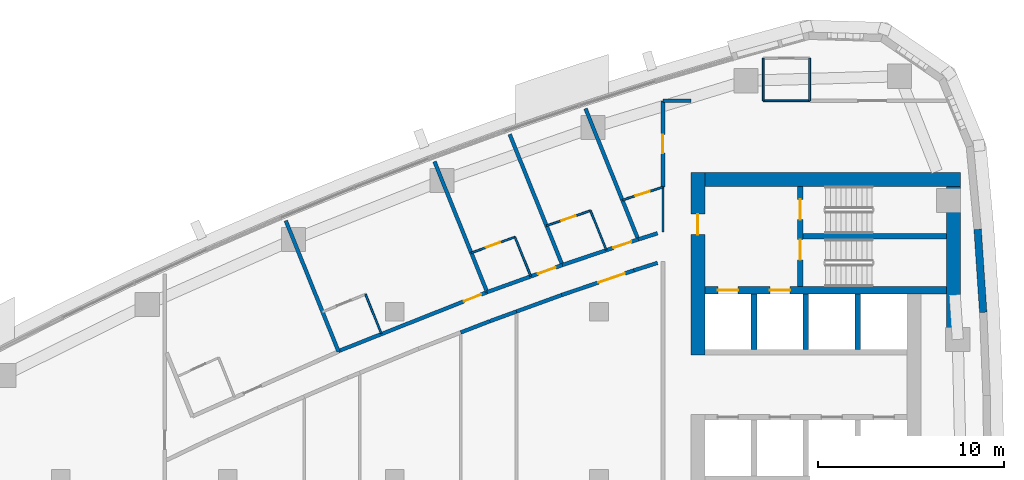
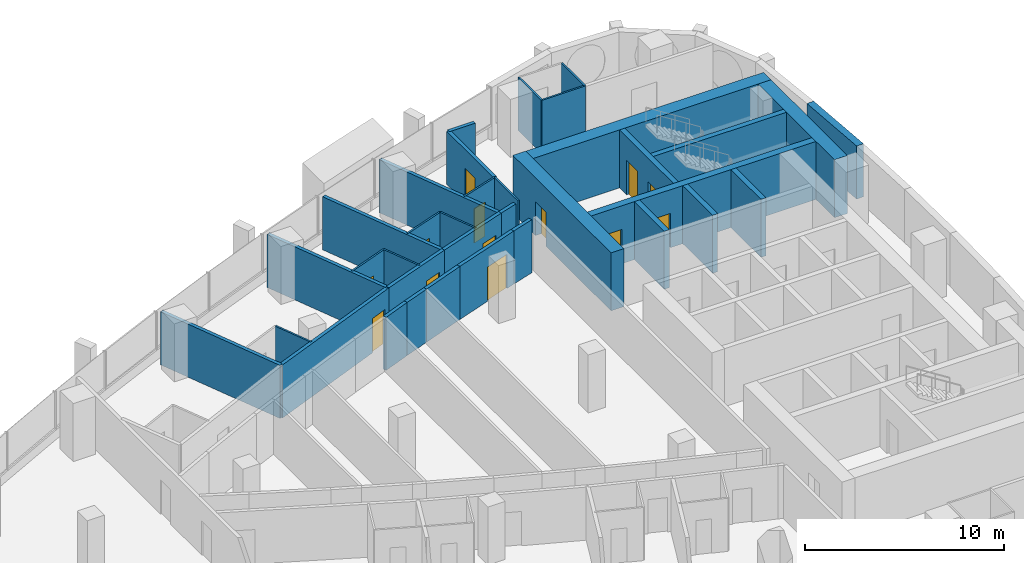
# One storey, part 12 of 17: 35 walls, 13 doors, 13 openings.
"""IFC4 building model written with IfcOpenShell, lengths in metres."""

from ifc_helpers import new_model, si_unit, direction, frame, frame_2d, origin, place, context, subcontext, project, spatial, polyline, rectangle, outline, extrude, material, layer, layer_set, type_object, element, fill, save


model = new_model("IFC4")

# Units and contexts
model_context = context("Model", 3, precision=1e-05, world=origin(), true_north=direction((0.0, 1.0)))
body_context = subcontext(model_context, "Body", "Model", "MODEL_VIEW")
ifc_project = project(units=[si_unit("LENGTHUNIT", "METRE"), si_unit("AREAUNIT", "SQUARE_METRE"), si_unit("VOLUMEUNIT", "CUBIC_METRE"), si_unit("PLANEANGLEUNIT", "RADIAN"), si_unit("MASSUNIT", "GRAM", prefix="KILO")], contexts=[model_context])

# Site, building, storey
site_placement = place(None, origin())
site = spatial("IfcSite", under=ifc_project, at=site_placement, CompositionType="ELEMENT")
building_placement = place(site_placement, origin())
building = spatial("IfcBuilding", under=site, at=building_placement, Name="Ostrand Prow Hotel Tower", CompositionType="ELEMENT")
storey_placement = place(building_placement, frame((0.0, 0.0, 175.5)))
storey = spatial("IfcBuildingStorey", under=building, at=storey_placement, Name="L43", CompositionType="ELEMENT", Elevation=175.5)

# Walls
ifc_material_1 = material(Name="Concrete C60/75", Category="concrete")
ifc_layer_1 = layer(ifc_material_1, 0.300048828125)
ifc_layer_set_1 = layer_set([ifc_layer_1], Name="Concrete C60/75")
wall_type_1 = type_object("IfcWallType", Name="Core wall 300 C60/75", PredefinedType="SHEAR", material=ifc_layer_set_1)
for number, where, z_axis, x_axis, name in (
    (1, (53.35009765625, 6.949951171875, 0.0), (0.0, 0.0, 1.0), (0.0, 1.0, 0.0), "Core wall PW-R1-NA"),
    (2, (56.14990234375, 6.949951171875, 0.0), (0.0, 0.0, 1.0), (0.0, 1.0, 0.0), "Core wall PW-R2-NA"),
    (3, (58.949951171875, 6.949951171875, 0.0), (0.0, 0.0, 1.0), (0.0, 1.0, 0.0), "Core wall PW-R3-NA"),
):
    element("IfcWall", number, at=place(storey_placement, frame(where, z_axis=z_axis, x_axis=x_axis)), inside=storey, type_object=wall_type_1, Name=name, PredefinedType="SHEAR", context=body_context, shape_type="SweptSolid", body=[
        extrude(rectangle(XDim=3.0, YDim=0.300048828125, at=frame_2d((1.5, 0.0))), origin(), (0.0, 0.0, 1.0), 3.550048828125),
    ])

# Wall, openings, doors
wall_1_placement = place(storey_placement, frame((55.85009765625, 10.35009765625, 0.0), z_axis=(0.0, 0.0, 1.0), x_axis=(0.0, 1.0, 0.0)))
wall_1 = element("IfcWall", 4, at=wall_1_placement, inside=storey, type_object=wall_type_1, Name="Core wall PW-VN", PredefinedType="SHEAR", context=body_context, shape_type="SweptSolid", body=[
    extrude(rectangle(XDim=5.39990234375, YDim=0.300048828125, at=frame_2d((2.699951171875, 0.0))), origin(), (0.0, 0.0, 1.0), 3.550048828125),
])
opening_1_placement = place(wall_1_placement, frame((1.429931640625, 0.0, 0.0)))
opening_1 = element("IfcOpeningElement", 5, at=opening_1_placement, cuts=wall_1, Name="Opening FD1", PredefinedType="OPENING", context=body_context, shape_type="SweptSolid", body=[
    extrude(rectangle(XDim=1.10009765625, YDim=2.10009765625, at=frame_2d((0.550048828125, 1.050048828125))), frame((0.0, 0.159912109375, 0.0), z_axis=(0.0, -1.0, 0.0), x_axis=(1.0, 0.0, 0.0)), (0.0, 0.0, 1.0), 0.320068359375),
])
opening_2_placement = place(wall_1_placement, frame((3.60009765625, 0.0, 0.0)))
opening_2 = element("IfcOpeningElement", 6, at=opening_2_placement, cuts=wall_1, Name="Opening FD1", PredefinedType="OPENING", context=body_context, shape_type="SweptSolid", body=[
    extrude(rectangle(XDim=1.10009765625, YDim=2.10009765625, at=frame_2d((0.550048828125, 1.050048828125))), frame((0.0, 0.159912109375, 0.0), z_axis=(0.0, -1.0, 0.0), x_axis=(1.0, 0.0, 0.0)), (0.0, 0.0, 1.0), 0.320068359375),
])
ifc_material_2 = material(Name="Steel fire door", Category="steel")
door_type_1 = type_object("IfcDoorType", Name="Fire door 1100 EI120", OperationType="SINGLE_SWING_RIGHT", PredefinedType="DOOR", material=ifc_material_2)
door_1_placement = place(opening_1_placement, origin())
door_1 = element("IfcDoor", 7, at=door_1_placement, inside=storey, type_object=door_type_1, Name="FIRE DOOR", OperationType="SINGLE_SWING_RIGHT", OverallHeight=2.10009765625, OverallWidth=1.10009765625, PredefinedType="DOOR", context=body_context, shape_type="SweptSolid", body=[
    extrude(rectangle(XDim=1.10009765625, YDim=2.10009765625, at=frame_2d((0.550048828125, 1.050048828125))), frame((0.0, 0.02490234375, 0.0), z_axis=(0.0, -1.0, 0.0), x_axis=(1.0, 0.0, 0.0)), (0.0, 0.0, 1.0), 0.050048828125),
])
fill(opening_1, door_1)
door_2_placement = place(opening_2_placement, origin())
door_2 = element("IfcDoor", 8, at=door_2_placement, inside=storey, type_object=door_type_1, Name="FIRE DOOR", OperationType="SINGLE_SWING_RIGHT", OverallHeight=2.10009765625, OverallWidth=1.10009765625, PredefinedType="DOOR", context=body_context, shape_type="SweptSolid", body=[
    extrude(rectangle(XDim=1.10009765625, YDim=2.10009765625, at=frame_2d((0.550048828125, 1.050048828125))), frame((0.0, 0.02490234375, 0.0), z_axis=(0.0, -1.0, 0.0), x_axis=(1.0, 0.0, 0.0)), (0.0, 0.0, 1.0), 0.050048828125),
])
fill(opening_2, door_2)

# Wall
wall_2_placement = place(storey_placement, frame((56.0, 13.050048828125, 0.0), z_axis=(0.0, 0.0, 1.0), x_axis=(1.0, 0.0, 0.0)))
element("IfcWall", 9, at=wall_2_placement, inside=storey, type_object=wall_type_1, Name="Core wall PW-ST13", PredefinedType="SHEAR", context=body_context, shape_type="SweptSolid", body=[
    extrude(rectangle(XDim=7.719970703125, YDim=0.300048828125, at=frame_2d((3.85986328125, 0.0))), origin(), (0.0, 0.0, 1.0), 3.550048828125),
])

# Wall, openings, doors
ifc_material_3 = material(Name="Concrete C60/75", Category="concrete")
ifc_layer_2 = layer(ifc_material_3, 0.39990234375)
ifc_layer_set_2 = layer_set([ifc_layer_2], Name="Concrete C60/75")
wall_type_2 = type_object("IfcWallType", Name="Core wall 400 C60/75", PredefinedType="SHEAR", material=ifc_layer_set_2)
wall_3_placement = place(storey_placement, frame((50.699951171875, 10.14990234375, 0.0), z_axis=(0.0, 0.0, 1.0), x_axis=(1.0, 0.0, 0.0)))
wall_3 = element("IfcWall", 10, at=wall_3_placement, inside=storey, type_object=wall_type_2, Name="Core wall PW-BN", PredefinedType="SHEAR", context=body_context, shape_type="SweptSolid", body=[
    extrude(rectangle(XDim=13.02001953125, YDim=0.39990234375, at=frame_2d((6.510009765625, 0.0))), origin(), (0.0, 0.0, 1.0), 3.550048828125),
])
opening_3_placement = place(wall_3_placement, frame((0.699951171875, 0.0, 0.0)))
opening_3 = element("IfcOpeningElement", 11, at=opening_3_placement, cuts=wall_3, Name="Opening LD", PredefinedType="OPENING", context=body_context, shape_type="SweptSolid", body=[
    extrude(rectangle(XDim=1.10009765625, YDim=2.10009765625, at=frame_2d((0.550048828125, 1.050048828125))), frame((0.0, 0.2099609375, 0.0), z_axis=(0.0, -1.0, 0.0), x_axis=(1.0, 0.0, 0.0)), (0.0, 0.0, 1.0), 0.419921875),
])
opening_4_placement = place(wall_3_placement, frame((3.5, 0.0, 0.0)))
opening_4 = element("IfcOpeningElement", 12, at=opening_4_placement, cuts=wall_3, Name="Opening LD", PredefinedType="OPENING", context=body_context, shape_type="SweptSolid", body=[
    extrude(rectangle(XDim=1.10009765625, YDim=2.10009765625, at=frame_2d((0.550048828125, 1.050048828125))), frame((0.0, 0.2099609375, 0.0), z_axis=(0.0, -1.0, 0.0), x_axis=(1.0, 0.0, 0.0)), (0.0, 0.0, 1.0), 0.419921875),
])
ifc_material_4 = material(Name="Stainless steel door", Category="steel")
door_type_2 = type_object("IfcDoorType", Name="Lift landing door 1100", OperationType="DOUBLE_DOOR_SLIDING", PredefinedType="DOOR", material=ifc_material_4)
door_3_placement = place(opening_3_placement, origin())
door_3 = element("IfcDoor", 13, at=door_3_placement, inside=storey, type_object=door_type_2, Name="LIFT LANDING DOOR", OperationType="DOUBLE_DOOR_SLIDING", OverallHeight=2.10009765625, OverallWidth=1.10009765625, PredefinedType="DOOR", context=body_context, shape_type="SweptSolid", body=[
    extrude(rectangle(XDim=1.10009765625, YDim=2.10009765625, at=frame_2d((0.550048828125, 1.050048828125))), frame((0.0, 0.02490234375, 0.0), z_axis=(0.0, -1.0, 0.0), x_axis=(1.0, 0.0, 0.0)), (0.0, 0.0, 1.0), 0.050048828125),
])
fill(opening_3, door_3)
door_4_placement = place(opening_4_placement, origin())
door_4 = element("IfcDoor", 14, at=door_4_placement, inside=storey, type_object=door_type_2, Name="LIFT LANDING DOOR", OperationType="DOUBLE_DOOR_SLIDING", OverallHeight=2.10009765625, OverallWidth=1.10009765625, PredefinedType="DOOR", context=body_context, shape_type="SweptSolid", body=[
    extrude(rectangle(XDim=1.10009765625, YDim=2.10009765625, at=frame_2d((0.550048828125, 1.050048828125))), frame((0.0, 0.02490234375, 0.0), z_axis=(0.0, -1.0, 0.0), x_axis=(1.0, 0.0, 0.0)), (0.0, 0.0, 1.0), 0.050048828125),
])
fill(opening_4, door_4)

# Wall, opening, door
ifc_material_5 = material(Name="Concrete C60/75", Category="concrete")
ifc_layer_3 = layer(ifc_material_5, 0.75)
ifc_layer_set_3 = layer_set([ifc_layer_3], Name="Concrete C60/75")
wall_type_3 = type_object("IfcWallType", Name="Core wall 750 C60/75", PredefinedType="SHEAR", material=ifc_layer_set_3)
wall_4_placement = place(storey_placement, frame((50.324951171875, 6.64990234375, 0.0), z_axis=(0.0, 0.0, 1.0), x_axis=(0.0, 1.0, 0.0)))
wall_4 = element("IfcWall", 15, at=wall_4_placement, inside=storey, type_object=wall_type_3, Name="Core wall CW-W-N", PredefinedType="SHEAR", context=body_context, shape_type="SweptSolid", body=[
    extrude(rectangle(XDim=9.85009765625, YDim=0.75, at=frame_2d((4.925048828125, 0.0))), origin(), (0.0, 0.0, 1.0), 3.550048828125),
])
opening_5_placement = place(wall_4_placement, frame((6.5, 0.0, 0.0)))
opening_5 = element("IfcOpeningElement", 16, at=opening_5_placement, cuts=wall_4, Name="Opening FD1", PredefinedType="OPENING", context=body_context, shape_type="SweptSolid", body=[
    extrude(rectangle(XDim=1.10009765625, YDim=2.10009765625, at=frame_2d((0.550048828125, 1.050048828125))), frame((0.0, 0.385009765625, 0.0), z_axis=(0.0, -1.0, 0.0), x_axis=(1.0, 0.0, 0.0)), (0.0, 0.0, 1.0), 0.77001953125),
])
door_5_placement = place(opening_5_placement, origin())
door_5 = element("IfcDoor", 17, at=door_5_placement, inside=storey, type_object=door_type_1, Name="FIRE DOOR", OperationType="SINGLE_SWING_RIGHT", OverallHeight=2.10009765625, OverallWidth=1.10009765625, PredefinedType="DOOR", context=body_context, shape_type="SweptSolid", body=[
    extrude(rectangle(XDim=1.10009765625, YDim=2.10009765625, at=frame_2d((0.550048828125, 1.050048828125))), frame((0.0, 0.02490234375, 0.0), z_axis=(0.0, -1.0, 0.0), x_axis=(1.0, 0.0, 0.0)), (0.0, 0.0, 1.0), 0.050048828125),
])
fill(opening_5, door_5)

# Walls
wall_5_placement = place(storey_placement, frame((50.699951171875, 16.125, 0.0), z_axis=(0.0, 0.0, 1.0), x_axis=(1.0, 0.0, 0.0)))
element("IfcWall", 18, at=wall_5_placement, inside=storey, type_object=wall_type_3, Name="Core wall CW-N", PredefinedType="SHEAR", context=body_context, shape_type="SweptSolid", body=[
    extrude(rectangle(XDim=13.77001953125, YDim=0.75, at=frame_2d((6.885009765625, 0.0))), origin(), (0.0, 0.0, 1.0), 3.550048828125),
])
wall_6_placement = place(storey_placement, frame((64.094970703125, 8.09912109375, 0.0), z_axis=(0.0, 0.0, 1.0), x_axis=(0.0, 1.0, 0.0)))
element("IfcWall", 19, at=wall_6_placement, inside=storey, type_object=wall_type_3, Name="Core wall CW-E-N", PredefinedType="SHEAR", context=body_context, shape_type="SweptSolid", body=[
    extrude(rectangle(XDim=7.65087890625, YDim=0.75, at=frame_2d((3.825439453125, 0.0))), origin(), (0.0, 0.0, 1.0), 3.550048828125),
])
ifc_material_6 = material(Name="Plasterboard partition")
ifc_layer_4 = layer(ifc_material_6, 0.10009765625)
ifc_layer_set_4 = layer_set([ifc_layer_4], Name="Plasterboard partition")
wall_type_4 = type_object("IfcWallType", Name="Partition 100 bathroom wall", PredefinedType="PARTITIONING", material=ifc_layer_set_4)
for number, where, z_axis, x_axis, name in (
    (20, (56.35009765625, 22.64990234375, 0.0), (0.0, 0.0, 1.0), (0.0, -1.0, 0.0), "BATHROOM WALL"),
    (21, (53.85009765625, 20.35009765625, 0.0), (0.0, 0.0, 1.0), (0.0, 1.0, 0.0), "BATHROOM WALL"),
):
    element("IfcWall", number, at=place(storey_placement, frame(where, z_axis=z_axis, x_axis=x_axis)), inside=storey, type_object=wall_type_4, Name=name, PredefinedType="PARTITIONING", context=body_context, shape_type="SweptSolid", body=[
        extrude(rectangle(XDim=2.2998046875, YDim=0.10009765625, at=frame_2d((1.14990234375, 0.0))), origin(), (0.0, 0.0, 1.0), 3.25),
    ])
wall_7_placement = place(storey_placement, frame((32.41845703125, 9.9296875, 0.0), z_axis=(0.0, 0.0, 1.0), x_axis=(0.373847853912, -0.927490044219, 0.0)))
element("IfcWall", 22, at=wall_7_placement, inside=storey, type_object=wall_type_4, Name="BATHROOM WALL", PredefinedType="PARTITIONING", context=body_context, shape_type="SweptSolid", body=[
    extrude(rectangle(XDim=2.277099609375, YDim=0.10009765625, at=frame_2d((1.138671875, 0.0))), origin(), (0.0, 0.0, 1.0), 3.25),
])

# Wall, opening, door
wall_8_placement = place(storey_placement, frame((38.119384765625, 12.160888671875, 0.0), z_axis=(0.0, 0.0, 1.0), x_axis=(0.939744972593, 0.341876273652, 0.0)))
wall_8 = element("IfcWall", 23, at=wall_8_placement, inside=storey, type_object=wall_type_4, Name="BATHROOM WALL", PredefinedType="PARTITIONING", context=body_context, shape_type="SweptSolid", body=[
    extrude(rectangle(XDim=2.50146484375, YDim=0.10009765625, at=frame_2d((1.250732421875, 0.0))), origin(), (0.0, 0.0, 1.0), 3.25),
])
opening_6_placement = place(wall_8_placement, frame((0.85009765625, 0.0, 0.0)))
opening_6 = element("IfcOpeningElement", 24, at=opening_6_placement, cuts=wall_8, Name="Opening D2", PredefinedType="OPENING", context=body_context, shape_type="SweptSolid", body=[
    extrude(rectangle(XDim=0.800048828125, YDim=2.10009765625, at=frame_2d((0.39990234375, 1.050048828125))), frame((0.0, 0.06005859375, 0.0), z_axis=(0.0, -1.0, 0.0), x_axis=(1.0, 0.0, 0.0)), (0.0, 0.0, 1.0), 0.1201171875),
])
ifc_material_7 = material(Name="Timber door leaf", Category="wood")
door_type_3 = type_object("IfcDoorType", Name="Bathroom door 800", OperationType="SINGLE_SWING_LEFT", PredefinedType="DOOR", material=ifc_material_7)
door_6_placement = place(opening_6_placement, origin())
door_6 = element("IfcDoor", 25, at=door_6_placement, inside=storey, type_object=door_type_3, Name="DOOR", OperationType="SINGLE_SWING_LEFT", OverallHeight=2.10009765625, OverallWidth=0.800048828125, PredefinedType="DOOR", context=body_context, shape_type="SweptSolid", body=[
    extrude(rectangle(XDim=0.800048828125, YDim=2.10009765625, at=frame_2d((0.39990234375, 1.050048828125))), frame((0.0, 0.02490234375, 0.0), z_axis=(0.0, -1.0, 0.0), x_axis=(1.0, 0.0, 0.0)), (0.0, 0.0, 1.0), 0.050048828125),
])
fill(opening_6, door_6)

# Wall
wall_9_placement = place(storey_placement, frame((40.47021484375, 13.01611328125, 0.0), z_axis=(0.0, 0.0, 1.0), x_axis=(0.373846436826, -0.927490615409, 0.0)))
element("IfcWall", 26, at=wall_9_placement, inside=storey, type_object=wall_type_4, Name="BATHROOM WALL", PredefinedType="PARTITIONING", context=body_context, shape_type="SweptSolid", body=[
    extrude(rectangle(XDim=2.278564453125, YDim=0.10009765625, at=frame_2d((1.13916015625, 0.0))), origin(), (0.0, 0.0, 1.0), 3.25),
])

# Wall, opening, door
wall_10_placement = place(storey_placement, frame((42.17236328125, 13.625, 0.0), z_axis=(0.0, 0.0, 1.0), x_axis=(0.946406575113, 0.322977699822, 0.0)))
wall_10 = element("IfcWall", 27, at=wall_10_placement, inside=storey, type_object=wall_type_4, Name="BATHROOM WALL", PredefinedType="PARTITIONING", context=body_context, shape_type="SweptSolid", body=[
    extrude(rectangle(XDim=2.503662109375, YDim=0.10009765625, at=frame_2d((1.251953125, 0.0))), origin(), (0.0, 0.0, 1.0), 3.25),
])
opening_7_placement = place(wall_10_placement, frame((0.85009765625, 0.0, 0.0)))
opening_7 = element("IfcOpeningElement", 28, at=opening_7_placement, cuts=wall_10, Name="Opening D2", PredefinedType="OPENING", context=body_context, shape_type="SweptSolid", body=[
    extrude(rectangle(XDim=0.800048828125, YDim=2.10009765625, at=frame_2d((0.39990234375, 1.050048828125))), frame((0.0, 0.06005859375, 0.0), z_axis=(0.0, -1.0, 0.0), x_axis=(1.0, 0.0, 0.0)), (0.0, 0.0, 1.0), 0.1201171875),
])
door_7_placement = place(opening_7_placement, origin())
door_7 = element("IfcDoor", 29, at=door_7_placement, inside=storey, type_object=door_type_3, Name="DOOR", OperationType="SINGLE_SWING_LEFT", OverallHeight=2.10009765625, OverallWidth=0.800048828125, PredefinedType="DOOR", context=body_context, shape_type="SweptSolid", body=[
    extrude(rectangle(XDim=0.800048828125, YDim=2.10009765625, at=frame_2d((0.39990234375, 1.050048828125))), frame((0.0, 0.02490234375, 0.0), z_axis=(0.0, -1.0, 0.0), x_axis=(1.0, 0.0, 0.0)), (0.0, 0.0, 1.0), 0.050048828125),
])
fill(opening_7, door_7)

# Wall
wall_11_placement = place(storey_placement, frame((44.541748046875, 14.43359375, 0.0), z_axis=(0.0, 0.0, 1.0), x_axis=(0.373917841166, -0.927461831052, 0.0)))
element("IfcWall", 30, at=wall_11_placement, inside=storey, type_object=wall_type_4, Name="BATHROOM WALL", PredefinedType="PARTITIONING", context=body_context, shape_type="SweptSolid", body=[
    extrude(rectangle(XDim=2.28076171875, YDim=0.10009765625, at=frame_2d((1.140380859375, 0.0))), origin(), (0.0, 0.0, 1.0), 3.25),
])

# Wall, opening, door
wall_12_placement = place(storey_placement, frame((46.258544921875, 15.006591796875, 0.0), z_axis=(0.0, 0.0, 1.0), x_axis=(0.952731222045, 0.303814447552, 0.0)))
wall_12 = element("IfcWall", 31, at=wall_12_placement, inside=storey, type_object=wall_type_4, Name="BATHROOM WALL", PredefinedType="PARTITIONING", context=body_context, shape_type="SweptSolid", body=[
    extrude(rectangle(XDim=2.276611328125, YDim=0.10009765625, at=frame_2d((1.13818359375, 0.0))), origin(), (0.0, 0.0, 1.0), 3.25),
])
opening_8_placement = place(wall_12_placement, frame((0.75, 0.0, 0.0)))
opening_8 = element("IfcOpeningElement", 32, at=opening_8_placement, cuts=wall_12, Name="Opening D2", PredefinedType="OPENING", context=body_context, shape_type="SweptSolid", body=[
    extrude(rectangle(XDim=0.800048828125, YDim=2.10009765625, at=frame_2d((0.39990234375, 1.050048828125))), frame((0.0, 0.06005859375, 0.0), z_axis=(0.0, -1.0, 0.0), x_axis=(1.0, 0.0, 0.0)), (0.0, 0.0, 1.0), 0.1201171875),
])
door_8_placement = place(opening_8_placement, origin())
door_8 = element("IfcDoor", 33, at=door_8_placement, inside=storey, type_object=door_type_3, Name="DOOR", OperationType="SINGLE_SWING_LEFT", OverallHeight=2.10009765625, OverallWidth=0.800048828125, PredefinedType="DOOR", context=body_context, shape_type="SweptSolid", body=[
    extrude(rectangle(XDim=0.800048828125, YDim=2.10009765625, at=frame_2d((0.39990234375, 1.050048828125))), frame((0.0, 0.02490234375, 0.0), z_axis=(0.0, -1.0, 0.0), x_axis=(1.0, 0.0, 0.0)), (0.0, 0.0, 1.0), 0.050048828125),
])
fill(opening_8, door_8)

# Walls
wall_13_placement = place(storey_placement, frame((56.35009765625, 20.35498046875, 0.0), z_axis=(0.0, 0.0, 1.0), x_axis=(-1.0, 0.0, 0.0)))
element("IfcWall", 34, at=wall_13_placement, inside=storey, type_object=wall_type_4, Name="BATHROOM WALL", PredefinedType="PARTITIONING", context=body_context, shape_type="SweptSolid", body=[
    extrude(rectangle(XDim=2.5, YDim=0.10009765625, at=frame_2d((1.25, 0.0))), origin(), (0.0, 0.0, 1.0), 3.25),
])
wall_14_placement = place(storey_placement, frame((48.445068359375, 15.72119140625, 0.0), z_axis=(0.0, 0.0, 1.0), x_axis=(0.0, -1.0, 0.0)))
element("IfcWall", 35, at=wall_14_placement, inside=storey, type_object=wall_type_4, Name="BATHROOM WALL", PredefinedType="PARTITIONING", context=body_context, shape_type="SweptSolid", body=[
    extrude(rectangle(XDim=2.42626953125, YDim=0.10009765625, at=frame_2d((1.213134765625, 0.0))), origin(), (0.0, 0.0, 1.0), 3.25),
])

# Wall, opening, door
ifc_material_8 = material(Name="Plasterboard partition")
ifc_layer_5 = layer(ifc_material_8, 0.199951171875)
ifc_layer_set_5 = layer_set([ifc_layer_5], Name="Plasterboard partition")
wall_type_5 = type_object("IfcWallType", Name="Partition 200 corridor wall", PredefinedType="PARTITIONING", material=ifc_layer_set_5)
wall_15_placement = place(storey_placement, frame((38.972412109375, 10.044921875, 0.0), z_axis=(0.0, 0.0, 1.0), x_axis=(-0.929554647243, -0.368684360651, 0.0)))
wall_15 = element("IfcWall", 36, at=wall_15_placement, inside=storey, type_object=wall_type_5, Name="CORRIDOR WALL", PredefinedType="PARTITIONING", context=body_context, shape_type="SweptSolid", body=[
    extrude(rectangle(XDim=8.621826171875, YDim=0.199951171875, at=frame_2d((4.31103515625, 0.0))), origin(), (0.0, 0.0, 1.0), 3.25),
])
opening_9_placement = place(wall_15_placement, frame((0.35009765625, 0.0, 0.0)))
opening_9 = element("IfcOpeningElement", 37, at=opening_9_placement, cuts=wall_15, Name="Opening D1R", PredefinedType="OPENING", context=body_context, shape_type="SweptSolid", body=[
    extrude(rectangle(XDim=1.0, YDim=2.10009765625, at=frame_2d((0.5, 1.050048828125))), frame((0.0, 0.10986328125, 0.0), z_axis=(0.0, -1.0, 0.0), x_axis=(1.0, 0.0, 0.0)), (0.0, 0.0, 1.0), 0.219970703125),
])
ifc_material_9 = material(Name="Timber door leaf", Category="wood")
door_type_4 = type_object("IfcDoorType", Name="Guest room door 1000 right", OperationType="SINGLE_SWING_RIGHT", PredefinedType="DOOR", material=ifc_material_9)
door_9_placement = place(opening_9_placement, origin())
door_9 = element("IfcDoor", 38, at=door_9_placement, inside=storey, type_object=door_type_4, Name="DOOR", OperationType="SINGLE_SWING_RIGHT", OverallHeight=2.10009765625, OverallWidth=1.0, PredefinedType="DOOR", context=body_context, shape_type="SweptSolid", body=[
    extrude(rectangle(XDim=1.0, YDim=2.10009765625, at=frame_2d((0.5, 1.050048828125))), frame((0.0, 0.02490234375, 0.0), z_axis=(0.0, -1.0, 0.0), x_axis=(1.0, 0.0, 0.0)), (0.0, 0.0, 1.0), 0.050048828125),
])
fill(opening_9, door_9)

wall_16_placement = place(storey_placement, frame((43.02587890625, 11.50732421875, 0.0), z_axis=(0.0, 0.0, 1.0), x_axis=(-0.940653905433, -0.339367397069, 0.0)))
wall_16 = element("IfcWall", 39, at=wall_16_placement, inside=storey, type_object=wall_type_5, Name="CORRIDOR WALL", PredefinedType="PARTITIONING", context=body_context, shape_type="SweptSolid", body=[
    extrude(rectangle(XDim=4.30908203125, YDim=0.199951171875, at=frame_2d((2.154541015625, 0.0))), origin(), (0.0, 0.0, 1.0), 3.25),
])
opening_10_placement = place(wall_16_placement, frame((0.39990234375, 0.0, 0.0)))
opening_10 = element("IfcOpeningElement", 40, at=opening_10_placement, cuts=wall_16, Name="Opening D1R", PredefinedType="OPENING", context=body_context, shape_type="SweptSolid", body=[
    extrude(rectangle(XDim=1.0, YDim=2.10009765625, at=frame_2d((0.5, 1.050048828125))), frame((0.0, 0.10986328125, 0.0), z_axis=(0.0, -1.0, 0.0), x_axis=(1.0, 0.0, 0.0)), (0.0, 0.0, 1.0), 0.219970703125),
])
door_10_placement = place(opening_10_placement, origin())
door_10 = element("IfcDoor", 41, at=door_10_placement, inside=storey, type_object=door_type_4, Name="DOOR", OperationType="SINGLE_SWING_RIGHT", OverallHeight=2.10009765625, OverallWidth=1.0, PredefinedType="DOOR", context=body_context, shape_type="SweptSolid", body=[
    extrude(rectangle(XDim=1.0, YDim=2.10009765625, at=frame_2d((0.5, 1.050048828125))), frame((0.0, 0.02490234375, 0.0), z_axis=(0.0, -1.0, 0.0), x_axis=(1.0, 0.0, 0.0)), (0.0, 0.0, 1.0), 0.050048828125),
])
fill(opening_10, door_10)

wall_17_placement = place(storey_placement, frame((47.11328125, 12.885986328125, 0.0), z_axis=(0.0, 0.0, 1.0), x_axis=(-0.947550995841, -0.319604615549, 0.0)))
wall_17 = element("IfcWall", 42, at=wall_17_placement, inside=storey, type_object=wall_type_5, Name="CORRIDOR WALL", PredefinedType="PARTITIONING", context=body_context, shape_type="SweptSolid", body=[
    extrude(rectangle(XDim=4.313720703125, YDim=0.199951171875, at=frame_2d((2.15673828125, 0.0))), origin(), (0.0, 0.0, 1.0), 3.25),
])
opening_11_placement = place(wall_17_placement, frame((0.39990234375, 0.0, 0.0)))
opening_11 = element("IfcOpeningElement", 43, at=opening_11_placement, cuts=wall_17, Name="Opening D1R", PredefinedType="OPENING", context=body_context, shape_type="SweptSolid", body=[
    extrude(rectangle(XDim=1.0, YDim=2.10009765625, at=frame_2d((0.5, 1.050048828125))), frame((0.0, 0.10986328125, 0.0), z_axis=(0.0, -1.0, 0.0), x_axis=(1.0, 0.0, 0.0)), (0.0, 0.0, 1.0), 0.219970703125),
])
door_11_placement = place(opening_11_placement, origin())
door_11 = element("IfcDoor", 44, at=door_11_placement, inside=storey, type_object=door_type_4, Name="DOOR", OperationType="SINGLE_SWING_RIGHT", OverallHeight=2.10009765625, OverallWidth=1.0, PredefinedType="DOOR", context=body_context, shape_type="SweptSolid", body=[
    extrude(rectangle(XDim=1.0, YDim=2.10009765625, at=frame_2d((0.5, 1.050048828125))), frame((0.0, 0.02490234375, 0.0), z_axis=(0.0, -1.0, 0.0), x_axis=(1.0, 0.0, 0.0)), (0.0, 0.0, 1.0), 0.050048828125),
])
fill(opening_11, door_11)

# Walls
wall_18_placement = place(storey_placement, frame((39.115478515625, 8.4794921875, 0.0), z_axis=(0.0, 0.0, 1.0), x_axis=(0.939741934926, 0.341884623435, 0.0)))
element("IfcWall", 45, at=wall_18_placement, inside=storey, type_object=wall_type_5, Name="CORRIDOR WALL", PredefinedType="PARTITIONING", context=body_context, shape_type="SweptSolid", body=[
    extrude(rectangle(XDim=1.523193359375, YDim=0.199951171875, at=frame_2d((0.76171875, 0.0))), origin(), (0.0, 0.0, 1.0), 3.25),
])
wall_19_placement = place(storey_placement, frame((37.546875, 7.872802734375, 0.0), z_axis=(0.0, 0.0, 1.0), x_axis=(0.932670528514, 0.360729379511, 0.0)))
element("IfcWall", 46, at=wall_19_placement, inside=storey, type_object=wall_type_5, Name="CORRIDOR WALL", PredefinedType="PARTITIONING", context=body_context, shape_type="SweptSolid", body=[
    extrude(rectangle(XDim=1.681884765625, YDim=0.199951171875, at=frame_2d((0.8408203125, 0.0))), origin(), (0.0, 0.0, 1.0), 3.25),
])

# Wall, opening, door
wall_20_placement = place(storey_placement, frame((42.984375, 9.88720703125, 0.0), z_axis=(0.0, 0.0, 1.0), x_axis=(0.946436071896, 0.322891253852, 0.0)))
wall_20 = element("IfcWall", 47, at=wall_20_placement, inside=storey, type_object=wall_type_5, Name="CORRIDOR WALL", PredefinedType="PARTITIONING", context=body_context, shape_type="SweptSolid", body=[
    extrude(rectangle(XDim=4.116943359375, YDim=0.199951171875, at=frame_2d((2.05859375, 0.0))), origin(), (0.0, 0.0, 1.0), 3.25),
])
opening_12_placement = place(wall_20_placement, frame((2.10009765625, 0.0, 0.0)))
opening_12 = element("IfcOpeningElement", 48, at=opening_12_placement, cuts=wall_20, Name="Opening D15", PredefinedType="OPENING", context=body_context, shape_type="SweptSolid", body=[
    extrude(rectangle(XDim=1.5, YDim=2.10009765625, at=frame_2d((0.75, 1.050048828125))), frame((0.0, 0.10986328125, 0.0), z_axis=(0.0, -1.0, 0.0), x_axis=(1.0, 0.0, 0.0)), (0.0, 0.0, 1.0), 0.219970703125),
])
ifc_material_10 = material(Name="Timber door leaf", Category="wood")
door_type_5 = type_object("IfcDoorType", Name="Double door 1500", OperationType="DOUBLE_DOOR_SINGLE_SWING", PredefinedType="DOOR", material=ifc_material_10)
door_12_placement = place(opening_12_placement, origin())
door_12 = element("IfcDoor", 49, at=door_12_placement, inside=storey, type_object=door_type_5, Name="DOOR", OperationType="DOUBLE_DOOR_SINGLE_SWING", OverallHeight=2.10009765625, OverallWidth=1.5, PredefinedType="DOOR", context=body_context, shape_type="SweptSolid", body=[
    extrude(rectangle(XDim=1.5, YDim=2.10009765625, at=frame_2d((0.75, 1.050048828125))), frame((0.0, 0.02490234375, 0.0), z_axis=(0.0, -1.0, 0.0), x_axis=(1.0, 0.0, 0.0)), (0.0, 0.0, 1.0), 0.050048828125),
])
fill(opening_12, door_12)

# Walls
wall_21_placement = place(storey_placement, frame((40.546875, 9.000244140625, 0.0), z_axis=(0.0, 0.0, 1.0), x_axis=(0.939719202565, 0.341947101655, 0.0)))
element("IfcWall", 50, at=wall_21_placement, inside=storey, type_object=wall_type_5, Name="CORRIDOR WALL", PredefinedType="PARTITIONING", context=body_context, shape_type="SweptSolid", body=[
    extrude(rectangle(XDim=2.59375, YDim=0.199951171875, at=frame_2d((1.296875, 0.0))), origin(), (0.0, 0.0, 1.0), 3.25),
])
wall_22_placement = place(storey_placement, frame((48.14990234375, 13.216552734375, 0.0), z_axis=(0.0, 0.0, 1.0), x_axis=(-0.952731090451, -0.303814860215, 0.0)))
element("IfcWall", 51, at=wall_22_placement, inside=storey, type_object=wall_type_5, Name="CORRIDOR WALL", PredefinedType="PARTITIONING", context=body_context, shape_type="SweptSolid", body=[
    extrude(rectangle(XDim=1.088134765625, YDim=0.199951171875, at=frame_2d((0.5439453125, 0.0))), origin(), (0.0, 0.0, 1.0), 3.25),
])
wall_23_placement = place(storey_placement, frame((46.880859375, 11.216552734375, 0.0), z_axis=(0.0, 0.0, 1.0), x_axis=(0.952761948983, 0.303718074157, 0.0)))
element("IfcWall", 52, at=wall_23_placement, inside=storey, type_object=wall_type_5, Name="CORRIDOR WALL", PredefinedType="PARTITIONING", context=body_context, shape_type="SweptSolid", body=[
    extrude(rectangle(XDim=1.33203125, YDim=0.199951171875, at=frame_2d((0.666015625, 0.0))), origin(), (0.0, 0.0, 1.0), 3.25),
])

# Wall, opening, door
wall_24_placement = place(storey_placement, frame((48.4453125, 20.3515625, 0.0), z_axis=(0.0, 0.0, 1.0), x_axis=(-5.2725931e-05, -0.99999999861, 0.0)))
wall_24 = element("IfcWall", 53, at=wall_24_placement, inside=storey, type_object=wall_type_5, Name="CORRIDOR WALL", PredefinedType="PARTITIONING", context=body_context, shape_type="SweptSolid", body=[
    extrude(rectangle(XDim=4.63037109375, YDim=0.199951171875, at=frame_2d((2.315185546875, 0.0))), origin(), (0.0, 0.0, 1.0), 3.25),
])
opening_13_placement = place(wall_24_placement, frame((1.81494140625, 0.0, 0.0)))
opening_13 = element("IfcOpeningElement", 54, at=opening_13_placement, cuts=wall_24, Name="Opening D1", PredefinedType="OPENING", context=body_context, shape_type="SweptSolid", body=[
    extrude(rectangle(XDim=1.0, YDim=2.10009765625, at=frame_2d((0.5, 1.050048828125))), frame((0.0, 0.10986328125, 0.0), z_axis=(0.0, -1.0, 0.0), x_axis=(1.0, 0.0, 0.0)), (0.0, 0.0, 1.0), 0.219970703125),
])
ifc_material_11 = material(Name="Timber door leaf", Category="wood")
door_type_6 = type_object("IfcDoorType", Name="Guest room door 1000", OperationType="SINGLE_SWING_LEFT", PredefinedType="DOOR", material=ifc_material_11)
door_13_placement = place(opening_13_placement, origin())
door_13 = element("IfcDoor", 55, at=door_13_placement, inside=storey, type_object=door_type_6, Name="DOOR", OperationType="SINGLE_SWING_LEFT", OverallHeight=2.10009765625, OverallWidth=1.0, PredefinedType="DOOR", context=body_context, shape_type="SweptSolid", body=[
    extrude(rectangle(XDim=1.0, YDim=2.10009765625, at=frame_2d((0.5, 1.050048828125))), frame((0.0, 0.02490234375, 0.0), z_axis=(0.0, -1.0, 0.0), x_axis=(1.0, 0.0, 0.0)), (0.0, 0.0, 1.0), 0.050048828125),
])
fill(opening_13, door_13)

# Walls
wall_25_placement = place(storey_placement, frame((49.945068359375, 20.35498046875, 0.0), z_axis=(0.0, 0.0, 1.0), x_axis=(-0.999997403051, -0.002279010849, 0.0)))
element("IfcWall", 56, at=wall_25_placement, inside=storey, type_object=wall_type_5, Name="CORRIDOR WALL", PredefinedType="PARTITIONING", context=body_context, shape_type="SweptSolid", body=[
    extrude(rectangle(XDim=1.499755859375, YDim=0.199951171875, at=frame_2d((0.75, 0.0))), origin(), (0.0, 0.0, 1.0), 3.25),
])
ifc_material_12 = material(Name="Plasterboard partition")
ifc_layer_6 = layer(ifc_material_12, 0.199951171875)
ifc_layer_set_6 = layer_set([ifc_layer_6], Name="Plasterboard partition")
wall_type_6 = type_object("IfcWallType", Name="Partition 200 key partition", PredefinedType="PARTITIONING", material=ifc_layer_set_6)
wall_26_placement = place(storey_placement, frame((30.96533203125, 6.84765625, 0.0), z_axis=(0.0, 0.0, 1.0), x_axis=(-0.373876084216, 0.927478664796, 0.0)))
element("IfcWall", 57, at=wall_26_placement, inside=storey, type_object=wall_type_6, Name="KEY PARTITION", PredefinedType="PARTITIONING", context=body_context, shape_type="SweptSolid", body=[
    extrude(rectangle(XDim=7.600341796875, YDim=0.199951171875, at=frame_2d((3.80029296875, 0.0))), origin(), (0.0, 0.0, 1.0), 3.25),
])
wall_27_placement = place(storey_placement, frame((38.979736328125, 10.0263671875, 0.0), z_axis=(0.0, 0.0, 1.0), x_axis=(-0.373863662938, 0.927483671843, 0.0)))
element("IfcWall", 58, at=wall_27_placement, inside=storey, type_object=wall_type_6, Name="KEY PARTITION", PredefinedType="PARTITIONING", context=body_context, shape_type="SweptSolid", body=[
    extrude(rectangle(XDim=7.6044921875, YDim=0.199951171875, at=frame_2d((3.80224609375, 0.0))), origin(), (0.0, 0.0, 1.0), 3.25),
])
wall_28_placement = place(storey_placement, frame((43.033447265625, 11.48876953125, 0.0), z_axis=(0.0, 0.0, 1.0), x_axis=(-0.373877998371, 0.927477893178, 0.0)))
element("IfcWall", 59, at=wall_28_placement, inside=storey, type_object=wall_type_6, Name="KEY PARTITION", PredefinedType="PARTITIONING", context=body_context, shape_type="SweptSolid", body=[
    extrude(rectangle(XDim=7.611328125, YDim=0.199951171875, at=frame_2d((3.8056640625, 0.0))), origin(), (0.0, 0.0, 1.0), 3.25),
])
wall_29_placement = place(storey_placement, frame((47.120849609375, 12.867431640625, 0.0), z_axis=(0.0, 0.0, 1.0), x_axis=(-0.373907892596, 0.92746584188, 0.0)))
element("IfcWall", 60, at=wall_29_placement, inside=storey, type_object=wall_type_6, Name="KEY PARTITION", PredefinedType="PARTITIONING", context=body_context, shape_type="SweptSolid", body=[
    extrude(rectangle(XDim=7.62109375, YDim=0.199951171875, at=frame_2d((3.810546875, 0.0))), origin(), (0.0, 0.0, 1.0), 3.25),
])
ifc_material_13 = material(Name="Precast concrete C40/50", Category="concrete")
ifc_layer_7 = layer(ifc_material_13, 0.39990234375)
ifc_layer_set_7 = layer_set([ifc_layer_7], Name="Precast concrete C40/50")
wall_type_7 = type_object("IfcWallType", Name="Stone-faced precast wall 400 mm", PredefinedType="NOTDEFINED", material=ifc_layer_set_7)
wall_30_placement = place(storey_placement, frame((65.700439453125, 8.957763671875, 0.0), z_axis=(0.0, 0.0, 1.0), x_axis=(-0.066905935948, 0.997759287471, 0.0)))
element("IfcWall", 61, at=wall_30_placement, inside=storey, type_object=wall_type_7, Name="Stone-faced wall back 11", PredefinedType="NOTDEFINED", context=body_context, shape_type="SweptSolid", body=[
    extrude(outline(polyline([(-0.002685546875, -0.199951171875), (4.483642578125, -0.199951171875), (4.478271484375, 0.199951171875), (0.002685546875, 0.199951171875), (-0.002685546875, -0.199951171875)])), origin(), (0.0, 0.0, 1.0), 3.25),
])

save(model, "model.ifc")
